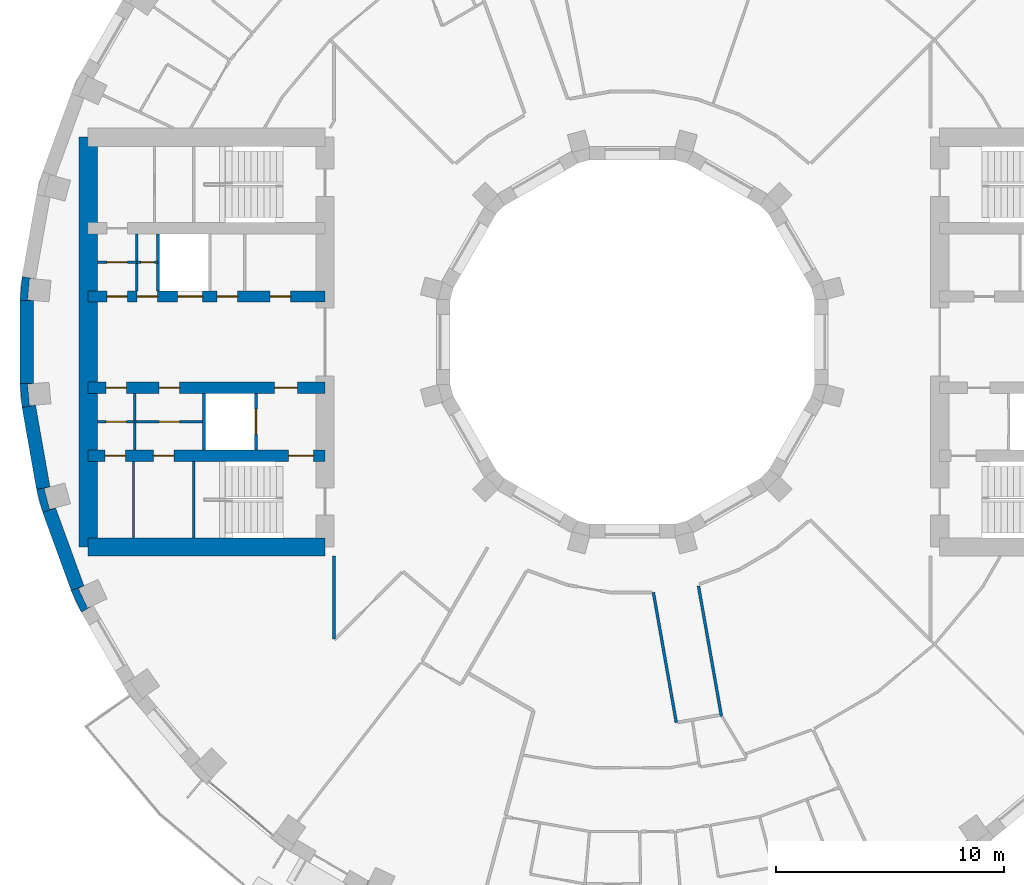
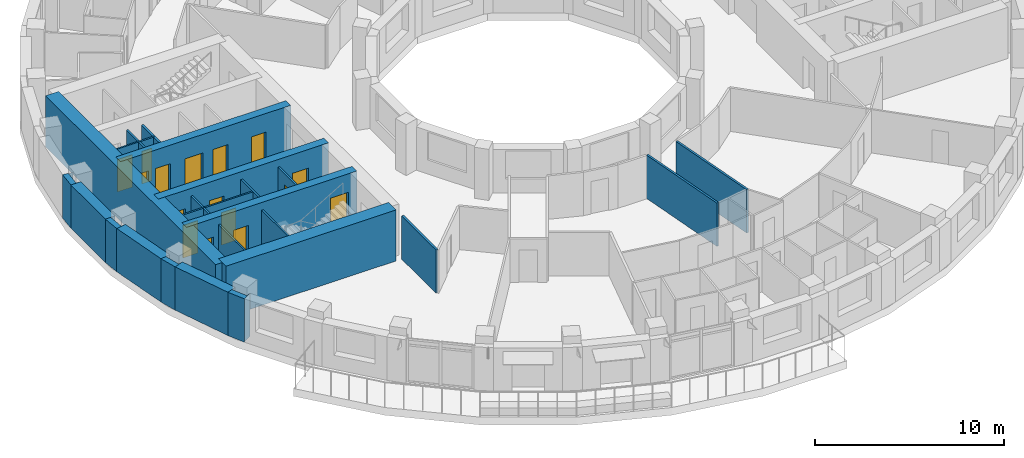
# One storey, part 5 of 14: 26 walls, 16 doors, 16 openings.
"""IFC4 building model written with IfcOpenShell, lengths in metres."""

from ifc_helpers import new_model, si_unit, direction, frame, frame_2d, origin, place, context, subcontext, project, spatial, polyline, rectangle, outline, extrude, material, layer, layer_set, type_object, element, fill, save


model = new_model("IFC4")

# Units and contexts
model_context = context("Model", 3, precision=1e-05, world=origin(), true_north=direction((0.0, 1.0)))
body_context = subcontext(model_context, "Body", "Model", "MODEL_VIEW")
ifc_project = project(units=[si_unit("LENGTHUNIT", "METRE"), si_unit("AREAUNIT", "SQUARE_METRE"), si_unit("VOLUMEUNIT", "CUBIC_METRE"), si_unit("PLANEANGLEUNIT", "RADIAN"), si_unit("MASSUNIT", "GRAM", prefix="KILO")], contexts=[model_context])

# Site, building, storey
site_placement = place(None, origin())
site = spatial("IfcSite", under=ifc_project, at=site_placement, CompositionType="ELEMENT")
building_placement = place(site_placement, origin())
building = spatial("IfcBuilding", under=site, at=building_placement, Name="Saqina Gate Tower", CompositionType="ELEMENT")
storey_placement = place(building_placement, frame((0.0, 0.0, 131.5)))
storey = spatial("IfcBuildingStorey", under=building, at=storey_placement, Name="L37", CompositionType="ELEMENT", Elevation=131.5)

# Walls
ifc_material_1 = material(Name="Brick masonry (buff)", Category="masonry")
wall_type_1 = type_object("IfcWallType", Name="BRICK PIER COPING BUFF", PredefinedType="SOLIDWALL", material=ifc_material_1)
wall_1_placement = place(storey_placement, origin())
element("IfcWall", 1, at=wall_1_placement, inside=storey, type_object=wall_type_1, Name="Pier cap L37 column 18", PredefinedType="SOLIDWALL", context=body_context, shape_type="SweptSolid", body=[
    extrude(outline(polyline([(-26.805419921875, 2.87451171875), (-26.897216796875, 1.823974609375), (-26.29736328125, 1.823974609375), (-26.565185546875, 1.847412109375), (-26.482421875, 2.793701171875), (-26.214599609375, 2.770263671875), (-26.805419921875, 2.87451171875)])), origin(), (0.0, 0.0, 1.0), 2.800048828125),
])
wall_2_placement = place(storey_placement, origin())
element("IfcWall", 2, at=wall_2_placement, inside=storey, type_object=wall_type_1, Name="Pier cap L37 column 19", PredefinedType="SOLIDWALL", context=body_context, shape_type="SweptSolid", body=[
    extrude(outline(polyline([(-26.805419921875, -2.87451171875), (-26.214599609375, -2.770263671875), (-26.482421875, -2.793701171875), (-26.565185546875, -1.847412109375), (-26.29736328125, -1.823974609375), (-26.897216796875, -1.823974609375), (-26.805419921875, -2.87451171875)])), origin(), (0.0, 0.0, 1.0), 2.800048828125),
])
wall_3_placement = place(storey_placement, origin())
element("IfcWall", 3, at=wall_3_placement, inside=storey, type_object=wall_type_1, Name="Pier cap L37 column 20", PredefinedType="SOLIDWALL", context=body_context, shape_type="SweptSolid", body=[
    extrude(outline(polyline([(-26.171875, -6.466796875), (-25.89892578125, -7.485595703125), (-25.335205078125, -7.2802734375), (-25.5947265625, -7.349853515625), (-25.8408203125, -6.43212890625), (-25.5810546875, -6.36279296875), (-26.171875, -6.466796875)])), origin(), (0.0, 0.0, 1.0), 2.800048828125),
])
wall_4_placement = place(storey_placement, origin())
element("IfcWall", 4, at=wall_4_placement, inside=storey, type_object=wall_type_1, Name="Pier cap L37 column 21", PredefinedType="SOLIDWALL", context=body_context, shape_type="SweptSolid", body=[
    extrude(outline(polyline([(-24.6513671875, -10.913330078125), (-24.205810546875, -11.869140625), (-23.68603515625, -11.569091796875), (-23.9296875, -11.6826171875), (-24.331298828125, -10.82177734375), (-24.08740234375, -10.7080078125), (-24.6513671875, -10.913330078125)])), origin(), (0.0, 0.0, 1.0), 2.800048828125),
])
ifc_material_2 = material(Name="Gypsum board on steel studs", Category="steel")
ifc_layer_1 = layer(ifc_material_2, 0.10009765625)
ifc_layer_set_1 = layer_set([ifc_layer_1], Name="CORE PARTITION")
wall_type_2 = type_object("IfcWallType", Name="CORE PARTITION", PredefinedType="PARTITIONING", material=ifc_layer_set_1)
for number, where, z_axis, x_axis, name in (
    (5, (-21.77099609375, 2.25, 0.0), (0.0, 0.0, 1.0), (0.0, 1.0, 0.0), "L37-CP-W04"),
    (6, (-21.8583984375, -4.75, 0.0), (0.0, 0.0, 1.0), (0.0, 1.0, 0.0), "L37-CP-W07"),
):
    element("IfcWall", number, at=place(storey_placement, frame(where, z_axis=z_axis, x_axis=x_axis)), inside=storey, type_object=wall_type_2, Name=name, PredefinedType="PARTITIONING", context=body_context, shape_type="SweptSolid", body=[
        extrude(rectangle(XDim=2.5, YDim=0.10009765625, at=frame_2d((1.25, 0.0))), origin(), (0.0, 0.0, 1.0), 2.800048828125),
    ])

# Wall, opening, door
wall_5_placement = place(storey_placement, frame((-20.840087890625, 3.5, 0.0), z_axis=(0.0, 0.0, 1.0), x_axis=(-1.0, 0.0, 0.0)))
wall_5 = element("IfcWall", 7, at=wall_5_placement, inside=storey, type_object=wall_type_2, Name="L37-CP-W08", PredefinedType="PARTITIONING", context=body_context, shape_type="SweptSolid", body=[
    extrude(rectangle(XDim=0.930908203125, YDim=0.10009765625, at=frame_2d((0.46533203125, 0.0))), origin(), (0.0, 0.0, 1.0), 2.800048828125),
])
opening_1_placement = place(wall_5_placement, frame((0.14990234375, 0.0, 0.0)))
opening_1 = element("IfcOpeningElement", 8, at=opening_1_placement, cuts=wall_5, Name="Opening G11-D116", PredefinedType="OPENING", context=body_context, shape_type="SweptSolid", body=[
    extrude(rectangle(XDim=0.60009765625, YDim=2.10009765625, at=frame_2d((0.300048828125, 1.050048828125))), frame((0.0, 0.06201171875, 0.0), z_axis=(0.0, -1.0, 0.0), x_axis=(1.0, 0.0, 0.0)), (0.0, 0.0, 1.0), 0.1240234375),
])
ifc_material_3 = material(Name="Steel-framed fire door leaf, EI 60", Category="steel")
door_type_1 = type_object("IfcDoorType", Name="SERVICE ROOM DOOR 600", OperationType="SINGLE_SWING_LEFT", PredefinedType="DOOR", material=ifc_material_3)
door_1_placement = place(opening_1_placement, origin())
door_1 = element("IfcDoor", 9, at=door_1_placement, inside=storey, type_object=door_type_1, Name="L37-CD-W27", OperationType="SINGLE_SWING_LEFT", OverallHeight=2.10009765625, OverallWidth=0.60009765625, PredefinedType="DOOR", context=body_context, shape_type="SweptSolid", body=[
    extrude(rectangle(XDim=0.60009765625, YDim=2.10009765625, at=frame_2d((0.300048828125, 1.050048828125))), frame((0.0, 0.02490234375, 0.0), z_axis=(0.0, -1.0, 0.0), x_axis=(1.0, 0.0, 0.0)), (0.0, 0.0, 1.0), 0.050048828125),
])
fill(opening_1, door_1)

wall_6_placement = place(storey_placement, frame((-21.77099609375, 3.5, 0.0), z_axis=(0.0, 0.0, 1.0), x_axis=(-1.0, 0.0, 0.0)))
wall_6 = element("IfcWall", 10, at=wall_6_placement, inside=storey, type_object=wall_type_2, Name="L37-CP-W09", PredefinedType="PARTITIONING", context=body_context, shape_type="SweptSolid", body=[
    extrude(rectangle(XDim=1.72900390625, YDim=0.10009765625, at=frame_2d((0.864501953125, 0.0))), origin(), (0.0, 0.0, 1.0), 2.800048828125),
])
opening_2_placement = place(wall_6_placement, frame((0.41455078125, 0.0, 0.0)))
opening_2 = element("IfcOpeningElement", 11, at=opening_2_placement, cuts=wall_6, Name="Opening G11-D117", PredefinedType="OPENING", context=body_context, shape_type="SweptSolid", body=[
    extrude(rectangle(XDim=0.89990234375, YDim=2.10009765625, at=frame_2d((0.449951171875, 1.050048828125))), frame((0.0, 0.06201171875, 0.0), z_axis=(0.0, -1.0, 0.0), x_axis=(1.0, 0.0, 0.0)), (0.0, 0.0, 1.0), 0.1240234375),
])
ifc_material_4 = material(Name="Steel-framed fire door leaf, EI 60", Category="steel")
door_type_2 = type_object("IfcDoorType", Name="SERVICE ROOM DOOR 900", OperationType="SINGLE_SWING_LEFT", PredefinedType="DOOR", material=ifc_material_4)
door_2_placement = place(opening_2_placement, frame((0.89990234375, 0.0, 0.0), z_axis=(0.0, 0.0, 1.0), x_axis=(-1.0, 0.0, 0.0)))
door_2 = element("IfcDoor", 12, at=door_2_placement, inside=storey, type_object=door_type_2, Name="L37-CD-W28", OperationType="SINGLE_SWING_LEFT", OverallHeight=2.10009765625, OverallWidth=0.89990234375, PredefinedType="DOOR", context=body_context, shape_type="SweptSolid", body=[
    extrude(rectangle(XDim=0.89990234375, YDim=2.10009765625, at=frame_2d((0.449951171875, 1.050048828125))), frame((0.0, 0.02490234375, 0.0), z_axis=(0.0, -1.0, 0.0), x_axis=(1.0, 0.0, 0.0)), (0.0, 0.0, 1.0), 0.050048828125),
])
fill(opening_2, door_2)

wall_7_placement = place(storey_placement, frame((-18.81005859375, -3.5, 0.0), z_axis=(0.0, 0.0, 1.0), x_axis=(-1.0, 0.0, 0.0)))
wall_7 = element("IfcWall", 13, at=wall_7_placement, inside=storey, type_object=wall_type_2, Name="L37-CP-W10", PredefinedType="PARTITIONING", context=body_context, shape_type="SweptSolid", body=[
    extrude(rectangle(XDim=3.04833984375, YDim=0.10009765625, at=frame_2d((1.524169921875, 0.0))), origin(), (0.0, 0.0, 1.0), 2.800048828125),
])
opening_3_placement = place(wall_7_placement, frame((1.07421875, 0.0, 0.0)))
opening_3 = element("IfcOpeningElement", 14, at=opening_3_placement, cuts=wall_7, Name="Opening G11-D121", PredefinedType="OPENING", context=body_context, shape_type="SweptSolid", body=[
    extrude(rectangle(XDim=0.89990234375, YDim=2.10009765625, at=frame_2d((0.449951171875, 1.050048828125))), frame((0.0, 0.06201171875, 0.0), z_axis=(0.0, -1.0, 0.0), x_axis=(1.0, 0.0, 0.0)), (0.0, 0.0, 1.0), 0.1240234375),
])
door_3_placement = place(opening_3_placement, origin())
door_3 = element("IfcDoor", 15, at=door_3_placement, inside=storey, type_object=door_type_2, Name="L37-CD-W32", OperationType="SINGLE_SWING_LEFT", OverallHeight=2.10009765625, OverallWidth=0.89990234375, PredefinedType="DOOR", context=body_context, shape_type="SweptSolid", body=[
    extrude(rectangle(XDim=0.89990234375, YDim=2.10009765625, at=frame_2d((0.449951171875, 1.050048828125))), frame((0.0, 0.02490234375, 0.0), z_axis=(0.0, -1.0, 0.0), x_axis=(1.0, 0.0, 0.0)), (0.0, 0.0, 1.0), 0.050048828125),
])
fill(opening_3, door_3)

wall_8_placement = place(storey_placement, frame((-21.8583984375, -3.5, 0.0), z_axis=(0.0, 0.0, 1.0), x_axis=(-1.0, 0.0, 0.0)))
wall_8 = element("IfcWall", 16, at=wall_8_placement, inside=storey, type_object=wall_type_2, Name="L37-CP-W11", PredefinedType="PARTITIONING", context=body_context, shape_type="SweptSolid", body=[
    extrude(rectangle(XDim=1.6416015625, YDim=0.10009765625, at=frame_2d((0.82080078125, 0.0))), origin(), (0.0, 0.0, 1.0), 2.800048828125),
])
opening_4_placement = place(wall_8_placement, frame((0.370849609375, 0.0, 0.0)))
opening_4 = element("IfcOpeningElement", 17, at=opening_4_placement, cuts=wall_8, Name="Opening G11-D120", PredefinedType="OPENING", context=body_context, shape_type="SweptSolid", body=[
    extrude(rectangle(XDim=0.89990234375, YDim=2.10009765625, at=frame_2d((0.449951171875, 1.050048828125))), frame((0.0, 0.06201171875, 0.0), z_axis=(0.0, -1.0, 0.0), x_axis=(1.0, 0.0, 0.0)), (0.0, 0.0, 1.0), 0.1240234375),
])
door_4_placement = place(opening_4_placement, origin())
door_4 = element("IfcDoor", 18, at=door_4_placement, inside=storey, type_object=door_type_2, Name="L37-CD-W31", OperationType="SINGLE_SWING_RIGHT", OverallHeight=2.10009765625, OverallWidth=0.89990234375, PredefinedType="DOOR", context=body_context, shape_type="SweptSolid", body=[
    extrude(rectangle(XDim=0.89990234375, YDim=2.10009765625, at=frame_2d((0.449951171875, 1.050048828125))), frame((0.0, 0.02490234375, 0.0), z_axis=(0.0, -1.0, 0.0), x_axis=(1.0, 0.0, 0.0)), (0.0, 0.0, 1.0), 0.050048828125),
])
fill(opening_4, door_4)

# Walls
wall_9_placement = place(storey_placement, frame((-21.91162109375, -8.60009765625, 0.0), z_axis=(0.0, 0.0, 1.0), x_axis=(0.0, 1.0, 0.0)))
element("IfcWall", 19, at=wall_9_placement, inside=storey, type_object=wall_type_2, Name="L37-CP-W15", PredefinedType="PARTITIONING", context=body_context, shape_type="SweptSolid", body=[
    extrude(rectangle(XDim=3.35009765625, YDim=0.10009765625, at=frame_2d((1.675048828125, 0.0))), origin(), (0.0, 0.0, 1.0), 2.800048828125),
])
ifc_material_5 = material(Name="Glazed ceramic tile", Category="ceramic")
ifc_layer_2 = layer(ifc_material_5, 0.60009765625)
ifc_layer_set_2 = layer_set([ifc_layer_2], Name="FW-TILE")
wall_type_3 = type_object("IfcWallType", Name="FW-TILE", PredefinedType="SOLIDWALL", material=ifc_layer_set_2)
for number, where, z_axis, x_axis, name in (
    (20, (-26.59716796875, 1.823974609375, 0.0), (0.0, 0.0, 1.0), (0.0, -1.0, 0.0), "Facade wall L37 facet 18"),
    (21, (-25.616943359375, -7.3828125, 0.0), (0.0, 0.0, 1.0), (0.341990236633, -0.939703505393, 0.0), "Facade wall L37 facet 20"),
):
    element("IfcWall", number, at=place(storey_placement, frame(where, z_axis=z_axis, x_axis=x_axis)), inside=storey, type_object=wall_type_3, Name=name, PredefinedType="SOLIDWALL", context=body_context, shape_type="SweptSolid", body=[
        extrude(rectangle(XDim=3.64794921875, YDim=0.60009765625, at=frame_2d((1.823974609375, 0.0))), origin(), (0.0, 0.0, 1.0), 2.800048828125),
    ])
ifc_material_6 = material(Name="Glazed ceramic tile (white)", Category="ceramic")
ifc_layer_3 = layer(ifc_material_6, 0.60009765625)
ifc_layer_set_3 = layer_set([ifc_layer_3], Name="FW-TILE-WH")
wall_type_4 = type_object("IfcWallType", Name="FW-TILE-WH", PredefinedType="SOLIDWALL", material=ifc_layer_set_3)
wall_10_placement = place(storey_placement, frame((-26.510009765625, -2.822265625, 0.0), z_axis=(0.0, 0.0, 1.0), x_axis=(0.173670796382, -0.984803764455, 0.0)))
element("IfcWall", 22, at=wall_10_placement, inside=storey, type_object=wall_type_4, Name="Facade wall L37 facet 19", PredefinedType="SOLIDWALL", context=body_context, shape_type="SweptSolid", body=[
    extrude(rectangle(XDim=3.64794921875, YDim=0.60009765625, at=frame_2d((1.823974609375, 0.0))), origin(), (0.0, 0.0, 1.0), 2.800048828125),
])
ifc_material_7 = material(Name="Gypsum board on steel studs, 125 mm, fire rated", Category="steel")
ifc_layer_4 = layer(ifc_material_7, 0.125)
ifc_layer_set_4 = layer_set([ifc_layer_4], Name="PARTITION EI 30 125")
wall_type_5 = type_object("IfcWallType", Name="PARTITION EI 30 125", PredefinedType="PARTITIONING", material=ifc_layer_set_4)
wall_11_placement = place(storey_placement, frame((0.924072265625, -11.0, 0.0), z_axis=(0.0, 0.0, 1.0), x_axis=(0.173576639114, -0.98482036451, 0.0)))
element("IfcWall", 23, at=wall_11_placement, inside=storey, type_object=wall_type_5, Name="PARTITION PW1-01", PredefinedType="PARTITIONING", context=body_context, shape_type="SweptSolid", body=[
    extrude(rectangle(XDim=5.80615234375, YDim=0.125, at=frame_2d((2.903076171875, 0.0))), origin(), (0.0, 0.0, 1.0), 2.800048828125),
])
wall_12_placement = place(storey_placement, frame((2.90478515625, -10.714599609375, 0.0), z_axis=(0.0, 0.0, 1.0), x_axis=(0.173617542192, -0.984813154382, 0.0)))
element("IfcWall", 24, at=wall_12_placement, inside=storey, type_object=wall_type_5, Name="PARTITION PW1-02", PredefinedType="PARTITIONING", context=body_context, shape_type="SweptSolid", body=[
    extrude(rectangle(XDim=5.810302734375, YDim=0.125, at=frame_2d((2.9052734375, 0.0))), origin(), (0.0, 0.0, 1.0), 2.800048828125),
])
wall_13_placement = place(storey_placement, frame((-13.10009765625, -13.03662109375, 0.0), z_axis=(0.0, 0.0, 1.0), x_axis=(0.0, 1.0, 0.0)))
element("IfcWall", 25, at=wall_13_placement, inside=storey, type_object=wall_type_5, Name="PARTITION PW1-47", PredefinedType="PARTITIONING", context=body_context, shape_type="SweptSolid", body=[
    extrude(rectangle(XDim=3.63671875, YDim=0.125, at=frame_2d((1.818359375, 0.0))), origin(), (0.0, 0.0, 1.0), 2.800048828125),
])
ifc_material_8 = material(Name="Autoclaved aerated concrete block", Category="concrete")
ifc_layer_5 = layer(ifc_material_8, 0.1201171875)
ifc_layer_set_5 = layer_set([ifc_layer_5], Name="SHAFT PARTITION")
wall_type_6 = type_object("IfcWallType", Name="SHAFT PARTITION", PredefinedType="PARTITIONING", material=ifc_layer_set_5)
wall_14_placement = place(storey_placement, frame((-20.840087890625, 2.25, 0.0), z_axis=(0.0, 0.0, 1.0), x_axis=(0.0, 1.0, 0.0)))
element("IfcWall", 26, at=wall_14_placement, inside=storey, type_object=wall_type_6, Name="L37-CP-W03", PredefinedType="PARTITIONING", context=body_context, shape_type="SweptSolid", body=[
    extrude(rectangle(XDim=2.5, YDim=0.1201171875, at=frame_2d((1.25, 0.0))), origin(), (0.0, 0.0, 1.0), 2.800048828125),
])

# Wall, opening, door
wall_15_placement = place(storey_placement, frame((-16.530029296875, -4.75, 0.0), z_axis=(0.0, 0.0, 1.0), x_axis=(0.0, 1.0, 0.0)))
wall_15 = element("IfcWall", 27, at=wall_15_placement, inside=storey, type_object=wall_type_6, Name="L37-CP-W05", PredefinedType="PARTITIONING", context=body_context, shape_type="SweptSolid", body=[
    extrude(rectangle(XDim=2.5, YDim=0.1201171875, at=frame_2d((1.25, 0.0))), origin(), (0.0, 0.0, 1.0), 2.800048828125),
])
opening_5_placement = place(wall_15_placement, frame((0.699951171875, 0.0, 0.0)))
opening_5 = element("IfcOpeningElement", 28, at=opening_5_placement, cuts=wall_15, Name="Opening G11-LD4", PredefinedType="OPENING", context=body_context, shape_type="SweptSolid", body=[
    extrude(rectangle(XDim=1.10009765625, YDim=2.10009765625, at=frame_2d((0.550048828125, 1.050048828125))), frame((0.0, 0.072021484375, 0.0), z_axis=(0.0, -1.0, 0.0), x_axis=(1.0, 0.0, 0.0)), (0.0, 0.0, 1.0), 0.14404296875),
])
ifc_material_9 = material(Name="Stainless steel", Category="steel")
door_type_3 = type_object("IfcDoorType", Name="LANDING DOOR", OperationType="DOUBLE_DOOR_SLIDING", PredefinedType="DOOR", material=ifc_material_9)
door_5_placement = place(opening_5_placement, origin())
door_5 = element("IfcDoor", 29, at=door_5_placement, inside=storey, type_object=door_type_3, Name="LANDING DOOR FF2", OperationType="DOUBLE_DOOR_SLIDING", OverallHeight=2.10009765625, OverallWidth=1.10009765625, PredefinedType="DOOR", context=body_context, shape_type="SweptSolid", body=[
    extrude(rectangle(XDim=1.10009765625, YDim=2.10009765625, at=frame_2d((0.550048828125, 1.050048828125))), frame((0.0, 0.02490234375, 0.0), z_axis=(0.0, -1.0, 0.0), x_axis=(1.0, 0.0, 0.0)), (0.0, 0.0, 1.0), 0.050048828125),
])
fill(opening_5, door_5)

# Walls
wall_16_placement = place(storey_placement, frame((-18.81005859375, -4.75, 0.0), z_axis=(0.0, 0.0, 1.0), x_axis=(0.0, 1.0, 0.0)))
element("IfcWall", 30, at=wall_16_placement, inside=storey, type_object=wall_type_6, Name="L37-CP-W06", PredefinedType="PARTITIONING", context=body_context, shape_type="SweptSolid", body=[
    extrude(rectangle(XDim=2.5, YDim=0.1201171875, at=frame_2d((1.25, 0.0))), origin(), (0.0, 0.0, 1.0), 2.800048828125),
])
ifc_material_10 = material(Name="Autoclaved aerated concrete block", Category="concrete")
ifc_layer_6 = layer(ifc_material_10, 0.10009765625)
ifc_layer_set_6 = layer_set([ifc_layer_6], Name="STAIR ENCLOSURE WALL")
wall_type_7 = type_object("IfcWallType", Name="STAIR ENCLOSURE WALL", PredefinedType="PARTITIONING", material=ifc_layer_set_6)
wall_17_placement = place(storey_placement, frame((-19.27001953125, -8.60009765625, 0.0), z_axis=(0.0, 0.0, 1.0), x_axis=(0.0, 1.0, 0.0)))
element("IfcWall", 31, at=wall_17_placement, inside=storey, type_object=wall_type_7, Name="L37-CP-W14", PredefinedType="PARTITIONING", context=body_context, shape_type="SweptSolid", body=[
    extrude(rectangle(XDim=3.35009765625, YDim=0.10009765625, at=frame_2d((1.675048828125, 0.0))), origin(), (0.0, 0.0, 1.0), 2.800048828125),
])

# Wall, openings, doors
ifc_material_11 = material(Name="Concrete C70/85", Category="concrete")
ifc_layer_7 = layer(ifc_material_11, 0.5)
ifc_layer_set_7 = layer_set([ifc_layer_7], Name="Concrete C70/85")
wall_type_8 = type_object("IfcWallType", Name="STR-CORE WALL-B-I", PredefinedType="SHEAR", material=ifc_layer_set_7)
wall_18_placement = place(storey_placement, frame((-13.5, -5.0, 0.0), z_axis=(0.0, 0.0, 1.0), x_axis=(-1.0, 0.0, 0.0)))
wall_18 = element("IfcWall", 32, at=wall_18_placement, inside=storey, type_object=wall_type_8, Name="CORE WALL L37 W-X2", PredefinedType="SHEAR", context=body_context, shape_type="SweptSolid", body=[
    extrude(rectangle(XDim=10.39990234375, YDim=0.5, at=frame_2d((5.199951171875, 0.0))), origin(), (0.0, 0.0, 1.0), 3.300048828125),
])
opening_6_placement = place(wall_18_placement, frame((6.63916015625, 0.0, 0.0)))
opening_6 = element("IfcOpeningElement", 33, at=opening_6_placement, cuts=wall_18, Name="Opening G11-D122", PredefinedType="OPENING", context=body_context, shape_type="SweptSolid", body=[
    extrude(rectangle(XDim=0.89990234375, YDim=2.10009765625, at=frame_2d((0.449951171875, 1.050048828125))), frame((0.0, 0.261962890625, 0.0), z_axis=(0.0, -1.0, 0.0), x_axis=(1.0, 0.0, 0.0)), (0.0, 0.0, 1.0), 0.52392578125),
])
opening_7_placement = place(wall_18_placement, frame((8.755859375, 0.0, 0.0)))
opening_7 = element("IfcOpeningElement", 34, at=opening_7_placement, cuts=wall_18, Name="Opening G11-D123", PredefinedType="OPENING", context=body_context, shape_type="SweptSolid", body=[
    extrude(rectangle(XDim=0.89990234375, YDim=2.10009765625, at=frame_2d((0.449951171875, 1.050048828125))), frame((0.0, 0.261962890625, 0.0), z_axis=(0.0, -1.0, 0.0), x_axis=(1.0, 0.0, 0.0)), (0.0, 0.0, 1.0), 0.52392578125),
])
opening_8_placement = place(wall_18_placement, frame((0.5, 0.0, 0.0)))
opening_8 = element("IfcOpeningElement", 35, at=opening_8_placement, cuts=wall_18, Name="Opening G11-D124", PredefinedType="OPENING", context=body_context, shape_type="SweptSolid", body=[
    extrude(rectangle(XDim=1.10009765625, YDim=2.10009765625, at=frame_2d((0.550048828125, 1.050048828125))), frame((0.0, 0.261962890625, 0.0), z_axis=(0.0, -1.0, 0.0), x_axis=(1.0, 0.0, 0.0)), (0.0, 0.0, 1.0), 0.52392578125),
])
ifc_material_12 = material(Name="Steel", Category="steel")
door_type_4 = type_object("IfcDoorType", Name="FIRE LOBBY DOOR EI 60 WIDE", OperationType="SINGLE_SWING_LEFT", PredefinedType="DOOR", material=ifc_material_12)
door_6_placement = place(opening_8_placement, origin())
door_6 = element("IfcDoor", 36, at=door_6_placement, inside=storey, type_object=door_type_4, Name="L37-CD-W35", OperationType="SINGLE_SWING_LEFT", OverallHeight=2.10009765625, OverallWidth=1.10009765625, PredefinedType="DOOR", context=body_context, shape_type="SweptSolid", body=[
    extrude(rectangle(XDim=1.10009765625, YDim=2.10009765625, at=frame_2d((0.550048828125, 1.050048828125))), frame((0.0, 0.02490234375, 0.0), z_axis=(0.0, -1.0, 0.0), x_axis=(1.0, 0.0, 0.0)), (0.0, 0.0, 1.0), 0.050048828125),
])
fill(opening_8, door_6)
door_7_placement = place(opening_6_placement, origin())
door_7 = element("IfcDoor", 37, at=door_7_placement, inside=storey, type_object=door_type_2, Name="L37-CD-W33", OperationType="SINGLE_SWING_RIGHT", OverallHeight=2.10009765625, OverallWidth=0.89990234375, PredefinedType="DOOR", context=body_context, shape_type="SweptSolid", body=[
    extrude(rectangle(XDim=0.89990234375, YDim=2.10009765625, at=frame_2d((0.449951171875, 1.050048828125))), frame((0.0, 0.02490234375, 0.0), z_axis=(0.0, -1.0, 0.0), x_axis=(1.0, 0.0, 0.0)), (0.0, 0.0, 1.0), 0.050048828125),
])
fill(opening_6, door_7)
door_8_placement = place(opening_7_placement, origin())
door_8 = element("IfcDoor", 38, at=door_8_placement, inside=storey, type_object=door_type_2, Name="L37-CD-W34", OperationType="SINGLE_SWING_RIGHT", OverallHeight=2.10009765625, OverallWidth=0.89990234375, PredefinedType="DOOR", context=body_context, shape_type="SweptSolid", body=[
    extrude(rectangle(XDim=0.89990234375, YDim=2.10009765625, at=frame_2d((0.449951171875, 1.050048828125))), frame((0.0, 0.02490234375, 0.0), z_axis=(0.0, -1.0, 0.0), x_axis=(1.0, 0.0, 0.0)), (0.0, 0.0, 1.0), 0.050048828125),
])
fill(opening_7, door_8)

wall_19_placement = place(storey_placement, frame((-13.5, 2.0, 0.0), z_axis=(0.0, 0.0, 1.0), x_axis=(-1.0, 0.0, 0.0)))
wall_19 = element("IfcWall", 39, at=wall_19_placement, inside=storey, type_object=wall_type_8, Name="CORE WALL L37 W-L1", PredefinedType="SHEAR", context=body_context, shape_type="SweptSolid", body=[
    extrude(rectangle(XDim=10.39990234375, YDim=0.5, at=frame_2d((5.199951171875, 0.0))), origin(), (0.0, 0.0, 1.0), 3.300048828125),
])
opening_9_placement = place(wall_19_placement, frame((5.3701171875, 0.0, 0.0)))
opening_9 = element("IfcOpeningElement", 40, at=opening_9_placement, cuts=wall_19, Name="Opening G11-LD3", PredefinedType="OPENING", context=body_context, shape_type="SweptSolid", body=[
    extrude(rectangle(XDim=1.10009765625, YDim=2.10009765625, at=frame_2d((0.550048828125, 1.050048828125))), frame((0.0, 0.261962890625, 0.0), z_axis=(0.0, -1.0, 0.0), x_axis=(1.0, 0.0, 0.0)), (0.0, 0.0, 1.0), 0.52392578125),
])
opening_10_placement = place(wall_19_placement, frame((1.510986328125, 0.0, 0.0)))
opening_10 = element("IfcOpeningElement", 41, at=opening_10_placement, cuts=wall_19, Name="Opening G11-D109", PredefinedType="OPENING", context=body_context, shape_type="SweptSolid", body=[
    extrude(rectangle(XDim=0.89990234375, YDim=2.10009765625, at=frame_2d((0.449951171875, 1.050048828125))), frame((0.0, 0.261962890625, 0.0), z_axis=(0.0, -1.0, 0.0), x_axis=(1.0, 0.0, 0.0)), (0.0, 0.0, 1.0), 0.52392578125),
])
opening_11_placement = place(wall_19_placement, frame((3.841064453125, 0.0, 0.0)))
opening_11 = element("IfcOpeningElement", 42, at=opening_11_placement, cuts=wall_19, Name="Opening G11-D110", PredefinedType="OPENING", context=body_context, shape_type="SweptSolid", body=[
    extrude(rectangle(XDim=0.89990234375, YDim=2.10009765625, at=frame_2d((0.449951171875, 1.050048828125))), frame((0.0, 0.261962890625, 0.0), z_axis=(0.0, -1.0, 0.0), x_axis=(1.0, 0.0, 0.0)), (0.0, 0.0, 1.0), 0.52392578125),
])
opening_12_placement = place(wall_19_placement, frame((7.35546875, 0.0, 0.0)))
opening_12 = element("IfcOpeningElement", 43, at=opening_12_placement, cuts=wall_19, Name="Opening G11-D111", PredefinedType="OPENING", context=body_context, shape_type="SweptSolid", body=[
    extrude(rectangle(XDim=0.89990234375, YDim=2.10009765625, at=frame_2d((0.449951171875, 1.050048828125))), frame((0.0, 0.261962890625, 0.0), z_axis=(0.0, -1.0, 0.0), x_axis=(1.0, 0.0, 0.0)), (0.0, 0.0, 1.0), 0.52392578125),
])
opening_13_placement = place(wall_19_placement, frame((8.685546875, 0.0, 0.0)))
opening_13 = element("IfcOpeningElement", 44, at=opening_13_placement, cuts=wall_19, Name="Opening G11-D112", PredefinedType="OPENING", context=body_context, shape_type="SweptSolid", body=[
    extrude(rectangle(XDim=0.89990234375, YDim=2.10009765625, at=frame_2d((0.449951171875, 1.050048828125))), frame((0.0, 0.261962890625, 0.0), z_axis=(0.0, -1.0, 0.0), x_axis=(1.0, 0.0, 0.0)), (0.0, 0.0, 1.0), 0.52392578125),
])
door_9_placement = place(opening_9_placement, origin())
door_9 = element("IfcDoor", 45, at=door_9_placement, inside=storey, type_object=door_type_3, Name="LANDING DOOR MR2", OperationType="DOUBLE_DOOR_SLIDING", OverallHeight=2.10009765625, OverallWidth=1.10009765625, PredefinedType="DOOR", context=body_context, shape_type="SweptSolid", body=[
    extrude(rectangle(XDim=1.10009765625, YDim=2.10009765625, at=frame_2d((0.550048828125, 1.050048828125))), frame((0.0, 0.02490234375, 0.0), z_axis=(0.0, -1.0, 0.0), x_axis=(1.0, 0.0, 0.0)), (0.0, 0.0, 1.0), 0.050048828125),
])
fill(opening_9, door_9)
door_10_placement = place(opening_10_placement, frame((0.89990234375, 0.0, 0.0), z_axis=(0.0, 0.0, 1.0), x_axis=(-1.0, 0.0, 0.0)))
door_10 = element("IfcDoor", 46, at=door_10_placement, inside=storey, type_object=door_type_2, Name="L37-CD-W20", OperationType="SINGLE_SWING_RIGHT", OverallHeight=2.10009765625, OverallWidth=0.89990234375, PredefinedType="DOOR", context=body_context, shape_type="SweptSolid", body=[
    extrude(rectangle(XDim=0.89990234375, YDim=2.10009765625, at=frame_2d((0.449951171875, 1.050048828125))), frame((0.0, 0.02490234375, 0.0), z_axis=(0.0, -1.0, 0.0), x_axis=(1.0, 0.0, 0.0)), (0.0, 0.0, 1.0), 0.050048828125),
])
fill(opening_10, door_10)
door_11_placement = place(opening_11_placement, frame((0.89990234375, 0.0, 0.0), z_axis=(0.0, 0.0, 1.0), x_axis=(-1.0, 0.0, 0.0)))
door_11 = element("IfcDoor", 47, at=door_11_placement, inside=storey, type_object=door_type_2, Name="L37-CD-W21", OperationType="SINGLE_SWING_LEFT", OverallHeight=2.10009765625, OverallWidth=0.89990234375, PredefinedType="DOOR", context=body_context, shape_type="SweptSolid", body=[
    extrude(rectangle(XDim=0.89990234375, YDim=2.10009765625, at=frame_2d((0.449951171875, 1.050048828125))), frame((0.0, 0.02490234375, 0.0), z_axis=(0.0, -1.0, 0.0), x_axis=(1.0, 0.0, 0.0)), (0.0, 0.0, 1.0), 0.050048828125),
])
fill(opening_11, door_11)
door_12_placement = place(opening_12_placement, frame((0.89990234375, 0.0, 0.0), z_axis=(0.0, 0.0, 1.0), x_axis=(-1.0, 0.0, 0.0)))
door_12 = element("IfcDoor", 48, at=door_12_placement, inside=storey, type_object=door_type_2, Name="L37-CD-W22", OperationType="SINGLE_SWING_RIGHT", OverallHeight=2.10009765625, OverallWidth=0.89990234375, PredefinedType="DOOR", context=body_context, shape_type="SweptSolid", body=[
    extrude(rectangle(XDim=0.89990234375, YDim=2.10009765625, at=frame_2d((0.449951171875, 1.050048828125))), frame((0.0, 0.02490234375, 0.0), z_axis=(0.0, -1.0, 0.0), x_axis=(1.0, 0.0, 0.0)), (0.0, 0.0, 1.0), 0.050048828125),
])
fill(opening_12, door_12)
door_13_placement = place(opening_13_placement, frame((0.89990234375, 0.0, 0.0), z_axis=(0.0, 0.0, 1.0), x_axis=(-1.0, 0.0, 0.0)))
door_13 = element("IfcDoor", 49, at=door_13_placement, inside=storey, type_object=door_type_2, Name="L37-CD-W23", OperationType="SINGLE_SWING_LEFT", OverallHeight=2.10009765625, OverallWidth=0.89990234375, PredefinedType="DOOR", context=body_context, shape_type="SweptSolid", body=[
    extrude(rectangle(XDim=0.89990234375, YDim=2.10009765625, at=frame_2d((0.449951171875, 1.050048828125))), frame((0.0, 0.02490234375, 0.0), z_axis=(0.0, -1.0, 0.0), x_axis=(1.0, 0.0, 0.0)), (0.0, 0.0, 1.0), 0.050048828125),
])
fill(opening_13, door_13)

wall_20_placement = place(storey_placement, frame((-13.5, -2.0, 0.0), z_axis=(0.0, 0.0, 1.0), x_axis=(-1.0, 0.0, 0.0)))
wall_20 = element("IfcWall", 50, at=wall_20_placement, inside=storey, type_object=wall_type_8, Name="CORE WALL L37 W-L2", PredefinedType="SHEAR", context=body_context, shape_type="SweptSolid", body=[
    extrude(rectangle(XDim=10.39990234375, YDim=0.5, at=frame_2d((5.199951171875, 0.0))), origin(), (0.0, 0.0, 1.0), 3.300048828125),
])
opening_14_placement = place(wall_20_placement, frame((1.215087890625, 0.0, 0.0)))
opening_14 = element("IfcOpeningElement", 51, at=opening_14_placement, cuts=wall_20, Name="Opening G11-D113", PredefinedType="OPENING", context=body_context, shape_type="SweptSolid", body=[
    extrude(rectangle(XDim=1.0, YDim=2.10009765625, at=frame_2d((0.5, 1.050048828125))), frame((0.0, 0.261962890625, 0.0), z_axis=(0.0, -1.0, 0.0), x_axis=(1.0, 0.0, 0.0)), (0.0, 0.0, 1.0), 0.52392578125),
])
opening_15_placement = place(wall_20_placement, frame((6.38427734375, 0.0, 0.0)))
opening_15 = element("IfcOpeningElement", 52, at=opening_15_placement, cuts=wall_20, Name="Opening G11-D114", PredefinedType="OPENING", context=body_context, shape_type="SweptSolid", body=[
    extrude(rectangle(XDim=0.89990234375, YDim=2.10009765625, at=frame_2d((0.449951171875, 1.050048828125))), frame((0.0, 0.261962890625, 0.0), z_axis=(0.0, -1.0, 0.0), x_axis=(1.0, 0.0, 0.0)), (0.0, 0.0, 1.0), 0.52392578125),
])
opening_16_placement = place(wall_20_placement, frame((8.729248046875, 0.0, 0.0)))
opening_16 = element("IfcOpeningElement", 53, at=opening_16_placement, cuts=wall_20, Name="Opening G11-D115", PredefinedType="OPENING", context=body_context, shape_type="SweptSolid", body=[
    extrude(rectangle(XDim=0.89990234375, YDim=2.10009765625, at=frame_2d((0.449951171875, 1.050048828125))), frame((0.0, 0.261962890625, 0.0), z_axis=(0.0, -1.0, 0.0), x_axis=(1.0, 0.0, 0.0)), (0.0, 0.0, 1.0), 0.52392578125),
])
ifc_material_13 = material(Name="Steel", Category="steel")
door_type_5 = type_object("IfcDoorType", Name="FIRE LOBBY DOOR EI 60", OperationType="SINGLE_SWING_LEFT", PredefinedType="DOOR", material=ifc_material_13)
door_14_placement = place(opening_14_placement, frame((1.0, 0.0, 0.0), z_axis=(0.0, 0.0, 1.0), x_axis=(-1.0, 0.0, 0.0)))
door_14 = element("IfcDoor", 54, at=door_14_placement, inside=storey, type_object=door_type_5, Name="L37-CD-W24", OperationType="SINGLE_SWING_RIGHT", OverallHeight=2.10009765625, OverallWidth=1.0, PredefinedType="DOOR", context=body_context, shape_type="SweptSolid", body=[
    extrude(rectangle(XDim=1.0, YDim=2.10009765625, at=frame_2d((0.5, 1.050048828125))), frame((0.0, 0.02490234375, 0.0), z_axis=(0.0, -1.0, 0.0), x_axis=(1.0, 0.0, 0.0)), (0.0, 0.0, 1.0), 0.050048828125),
])
fill(opening_14, door_14)
door_15_placement = place(opening_15_placement, origin())
door_15 = element("IfcDoor", 55, at=door_15_placement, inside=storey, type_object=door_type_2, Name="L37-CD-W25", OperationType="SINGLE_SWING_RIGHT", OverallHeight=2.10009765625, OverallWidth=0.89990234375, PredefinedType="DOOR", context=body_context, shape_type="SweptSolid", body=[
    extrude(rectangle(XDim=0.89990234375, YDim=2.10009765625, at=frame_2d((0.449951171875, 1.050048828125))), frame((0.0, 0.02490234375, 0.0), z_axis=(0.0, -1.0, 0.0), x_axis=(1.0, 0.0, 0.0)), (0.0, 0.0, 1.0), 0.050048828125),
])
fill(opening_15, door_15)
door_16_placement = place(opening_16_placement, origin())
door_16 = element("IfcDoor", 56, at=door_16_placement, inside=storey, type_object=door_type_2, Name="L37-CD-W26", OperationType="SINGLE_SWING_RIGHT", OverallHeight=2.10009765625, OverallWidth=0.89990234375, PredefinedType="DOOR", context=body_context, shape_type="SweptSolid", body=[
    extrude(rectangle(XDim=0.89990234375, YDim=2.10009765625, at=frame_2d((0.449951171875, 1.050048828125))), frame((0.0, 0.02490234375, 0.0), z_axis=(0.0, -1.0, 0.0), x_axis=(1.0, 0.0, 0.0)), (0.0, 0.0, 1.0), 0.050048828125),
])
fill(opening_16, door_16)

# Walls
ifc_material_14 = material(Name="Concrete C70/85", Category="concrete")
ifc_layer_8 = layer(ifc_material_14, 0.800048828125)
ifc_layer_set_8 = layer_set([ifc_layer_8], Name="Concrete C70/85")
wall_type_9 = type_object("IfcWallType", Name="STR-CORE WALL-B-O", PredefinedType="SHEAR", material=ifc_layer_set_8)
wall_21_placement = place(storey_placement, frame((-23.89990234375, -9.0, 0.0), z_axis=(0.0, 0.0, 1.0), x_axis=(0.0, 1.0, 0.0)))
element("IfcWall", 57, at=wall_21_placement, inside=storey, type_object=wall_type_9, Name="CORE WALL L37 W-W2", PredefinedType="SHEAR", context=body_context, shape_type="SweptSolid", body=[
    extrude(rectangle(XDim=18.0, YDim=0.800048828125, at=frame_2d((9.0, 0.0))), origin(), (0.0, 0.0, 1.0), 3.300048828125),
])
wall_22_placement = place(storey_placement, frame((-13.5, -9.0, 0.0), z_axis=(0.0, 0.0, 1.0), x_axis=(-1.0, 0.0, 0.0)))
element("IfcWall", 58, at=wall_22_placement, inside=storey, type_object=wall_type_9, Name="CORE WALL L37 W-SE", PredefinedType="SHEAR", context=body_context, shape_type="SweptSolid", body=[
    extrude(rectangle(XDim=10.39990234375, YDim=0.800048828125, at=frame_2d((5.199951171875, 0.0))), origin(), (0.0, 0.0, 1.0), 3.300048828125),
])

save(model, "model.ifc")
